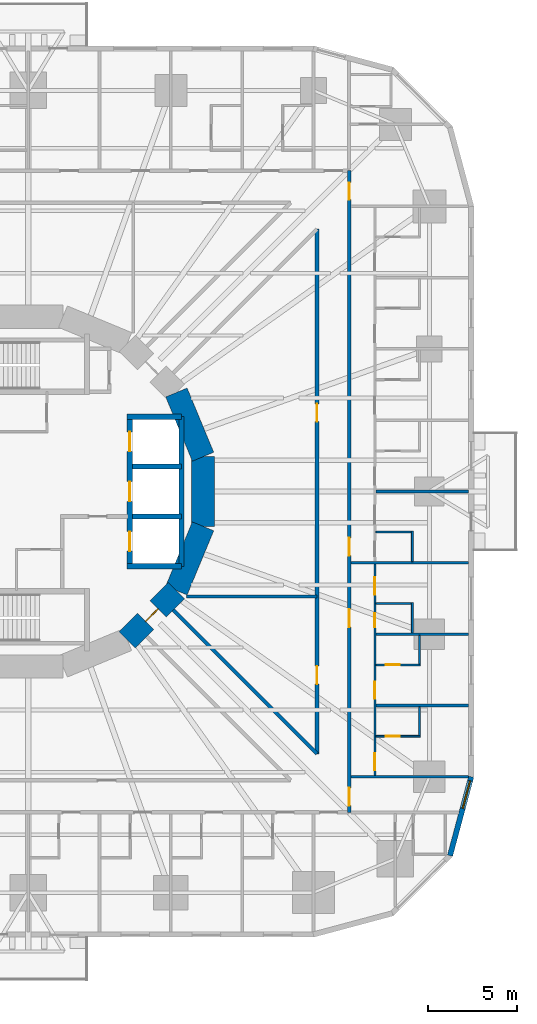
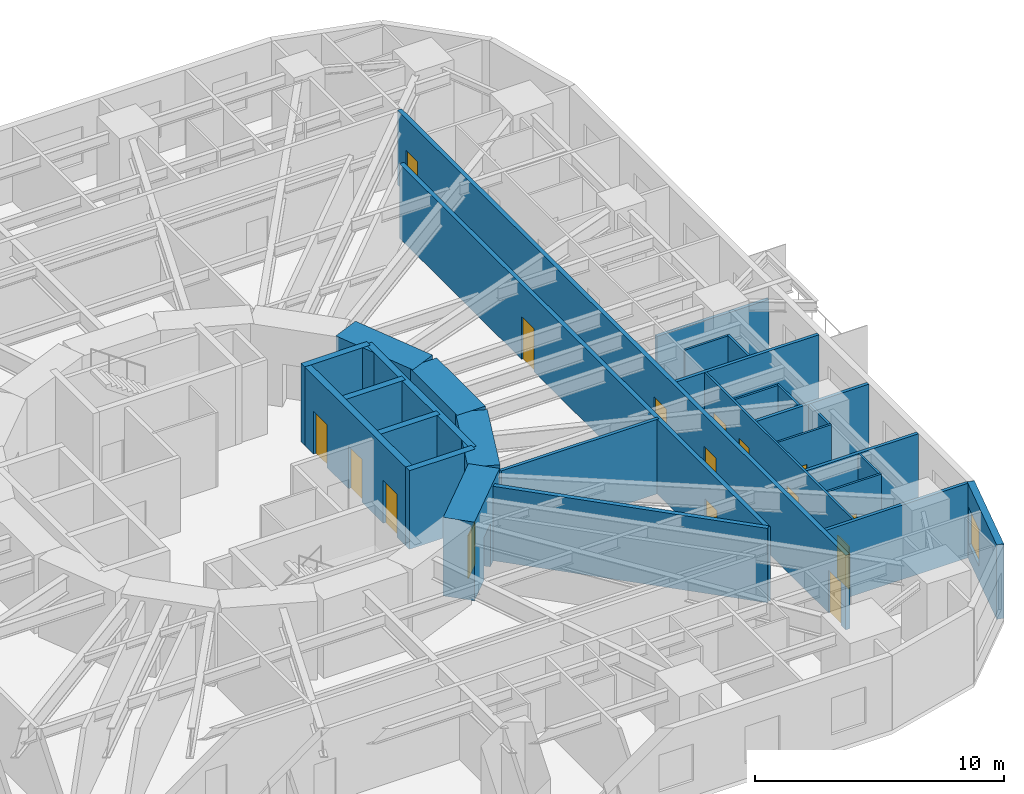
# One storey, part 8 of 14: 29 walls, 16 doors, 1 window, 17 openings.
"""IFC4 building model written with IfcOpenShell, lengths in metres."""

from ifc_helpers import new_model, si_unit, direction, frame, frame_2d, origin, place, context, subcontext, project, spatial, rectangle, extrude, material, layer, layer_set, type_object, element, fill, save


model = new_model("IFC4")

# Units and contexts
model_context = context("Model", 3, precision=1e-05, world=origin(), true_north=direction((0.0, 1.0)))
body_context = subcontext(model_context, "Body", "Model", "MODEL_VIEW")
ifc_project = project(units=[si_unit("LENGTHUNIT", "METRE"), si_unit("AREAUNIT", "SQUARE_METRE"), si_unit("VOLUMEUNIT", "CUBIC_METRE"), si_unit("PLANEANGLEUNIT", "RADIAN"), si_unit("MASSUNIT", "GRAM", prefix="KILO")], contexts=[model_context])

# Site, building, storey
site_placement = place(None, origin())
site = spatial("IfcSite", under=ifc_project, at=site_placement, CompositionType="ELEMENT")
building_placement = place(site_placement, origin())
building = spatial("IfcBuilding", under=site, at=building_placement, Name="Nakasero Lantern House", CompositionType="ELEMENT")
storey_placement = place(building_placement, frame((0.0, 0.0, 42.949951171875)))
storey = spatial("IfcBuildingStorey", under=building, at=storey_placement, Name="L10", CompositionType="ELEMENT", Elevation=42.949951171875)

# Wall, openings, doors
ifc_material_1 = material(Name="Blockwork", Category="masonry")
ifc_layer_1 = layer(ifc_material_1, 0.10009765625)
ifc_layer_set_1 = layer_set([ifc_layer_1], Name="Cluster hall wall 100")
wall_type_1 = type_object("IfcWallType", Name="Cluster hall wall 100", PredefinedType="PARTITIONING", material=ifc_layer_set_1)
wall_1_placement = place(storey_placement, frame((19.449951171875, -15.925048828125, 0.0), z_axis=(0.0, 0.0, 1.0), x_axis=(0.0, 1.0, 0.0)))
wall_1 = element("IfcWall", 1, at=wall_1_placement, inside=storey, type_object=wall_type_1, Name="Cluster hall wall L10 HW0-0", PredefinedType="PARTITIONING", context=body_context, shape_type="SweptSolid", body=[
    extrude(rectangle(XDim=11.85009765625, YDim=0.10009765625, at=frame_2d((5.925048828125, 0.0))), origin(), (0.0, 0.0, 1.0), 3.650146484375),
])
opening_1_placement = place(wall_1_placement, frame((10.125, 0.0, 0.0)))
opening_1 = element("IfcOpeningElement", 2, at=opening_1_placement, cuts=wall_1, Name="Opening D03", PredefinedType="OPENING", context=body_context, shape_type="SweptSolid", body=[
    extrude(rectangle(XDim=1.0, YDim=2.10009765625, at=frame_2d((0.5, 1.050048828125))), frame((0.0, 0.070068359375, 0.0), z_axis=(0.0, -1.0, 0.0), x_axis=(1.0, 0.0, 0.0)), (0.0, 0.0, 1.0), 0.14013671875),
])
opening_2_placement = place(wall_1_placement, frame((8.300048828125, 0.0, 0.0)))
opening_2 = element("IfcOpeningElement", 3, at=opening_2_placement, cuts=wall_1, Name="Opening D02", PredefinedType="OPENING", context=body_context, shape_type="SweptSolid", body=[
    extrude(rectangle(XDim=0.800048828125, YDim=2.10009765625, at=frame_2d((0.39990234375, 1.050048828125))), frame((0.0, 0.070068359375, 0.0), z_axis=(0.0, -1.0, 0.0), x_axis=(1.0, 0.0, 0.0)), (0.0, 0.0, 1.0), 0.14013671875),
])
opening_3_placement = place(wall_1_placement, frame((0.300048828125, 0.0, 0.0)))
opening_3 = element("IfcOpeningElement", 4, at=opening_3_placement, cuts=wall_1, Name="Opening D01", PredefinedType="OPENING", context=body_context, shape_type="SweptSolid", body=[
    extrude(rectangle(XDim=0.949951171875, YDim=2.10009765625, at=frame_2d((0.47509765625, 1.050048828125))), frame((0.0, 0.070068359375, 0.0), z_axis=(0.0, -1.0, 0.0), x_axis=(1.0, 0.0, 0.0)), (0.0, 0.0, 1.0), 0.14013671875),
])
opening_4_placement = place(wall_1_placement, frame((4.300048828125, 0.0, 0.0)))
opening_4 = element("IfcOpeningElement", 5, at=opening_4_placement, cuts=wall_1, Name="Opening D01", PredefinedType="OPENING", context=body_context, shape_type="SweptSolid", body=[
    extrude(rectangle(XDim=0.949951171875, YDim=2.10009765625, at=frame_2d((0.47509765625, 1.050048828125))), frame((0.0, 0.070068359375, 0.0), z_axis=(0.0, -1.0, 0.0), x_axis=(1.0, 0.0, 0.0)), (0.0, 0.0, 1.0), 0.14013671875),
])
ifc_material_2 = material(Name="Timber C24", Category="wood")
door_type_1 = type_object("IfcDoorType", Name="Bedroom door FD30S 950", OperationType="SINGLE_SWING_LEFT", PredefinedType="DOOR", material=ifc_material_2)
door_1_placement = place(opening_3_placement, origin())
door_1 = element("IfcDoor", 6, at=door_1_placement, inside=storey, type_object=door_type_1, Name="Door L10 D0-01", OperationType="SINGLE_SWING_LEFT", OverallHeight=2.10009765625, OverallWidth=0.949951171875, PredefinedType="DOOR", context=body_context, shape_type="SweptSolid", body=[
    extrude(rectangle(XDim=0.949951171875, YDim=2.10009765625, at=frame_2d((0.47509765625, 1.050048828125))), frame((0.0, 0.02490234375, 0.0), z_axis=(0.0, -1.0, 0.0), x_axis=(1.0, 0.0, 0.0)), (0.0, 0.0, 1.0), 0.050048828125),
])
fill(opening_3, door_1)
door_2_placement = place(opening_4_placement, origin())
door_2 = element("IfcDoor", 7, at=door_2_placement, inside=storey, type_object=door_type_1, Name="Door L10 D0-02", OperationType="SINGLE_SWING_LEFT", OverallHeight=2.10009765625, OverallWidth=0.949951171875, PredefinedType="DOOR", context=body_context, shape_type="SweptSolid", body=[
    extrude(rectangle(XDim=0.949951171875, YDim=2.10009765625, at=frame_2d((0.47509765625, 1.050048828125))), frame((0.0, 0.02490234375, 0.0), z_axis=(0.0, -1.0, 0.0), x_axis=(1.0, 0.0, 0.0)), (0.0, 0.0, 1.0), 0.050048828125),
])
fill(opening_4, door_2)
ifc_material_3 = material(Name="Timber C24", Category="wood")
door_type_2 = type_object("IfcDoorType", Name="En-suite door 800", OperationType="SINGLE_SWING_RIGHT", PredefinedType="DOOR", material=ifc_material_3)
door_3_placement = place(opening_2_placement, origin())
door_3 = element("IfcDoor", 8, at=door_3_placement, inside=storey, type_object=door_type_2, Name="Door L10 DSH0-0", OperationType="SINGLE_SWING_RIGHT", OverallHeight=2.10009765625, OverallWidth=0.800048828125, PredefinedType="DOOR", context=body_context, shape_type="SweptSolid", body=[
    extrude(rectangle(XDim=0.800048828125, YDim=2.10009765625, at=frame_2d((0.39990234375, 1.050048828125))), frame((0.0, 0.02490234375, 0.0), z_axis=(0.0, -1.0, 0.0), x_axis=(1.0, 0.0, 0.0)), (0.0, 0.0, 1.0), 0.050048828125),
])
fill(opening_2, door_3)
ifc_material_4 = material(Name="Timber C24", Category="wood")
door_type_3 = type_object("IfcDoorType", Name="Lounge door FD30S 1000", OperationType="SINGLE_SWING_LEFT", PredefinedType="DOOR", material=ifc_material_4)
door_4_placement = place(opening_1_placement, origin())
door_4 = element("IfcDoor", 9, at=door_4_placement, inside=storey, type_object=door_type_3, Name="Door L10 DH0-0", OperationType="SINGLE_SWING_RIGHT", OverallHeight=2.10009765625, OverallWidth=1.0, PredefinedType="DOOR", context=body_context, shape_type="SweptSolid", body=[
    extrude(rectangle(XDim=1.0, YDim=2.10009765625, at=frame_2d((0.5, 1.050048828125))), frame((0.0, 0.02490234375, 0.0), z_axis=(0.0, -1.0, 0.0), x_axis=(1.0, 0.0, 0.0)), (0.0, 0.0, 1.0), 0.050048828125),
])
fill(opening_1, door_4)

ifc_material_5 = material(Name="Concrete C50/60", Category="concrete")
ifc_layer_2 = layer(ifc_material_5, 0.300048828125)
ifc_layer_set_2 = layer_set([ifc_layer_2], Name="Core inner wall 300")
wall_type_2 = type_object("IfcWallType", Name="Core inner wall 300", PredefinedType="SHEAR", material=ifc_layer_set_2)
wall_2_placement = place(storey_placement, frame((5.699951171875, -4.199951171875, 0.0), z_axis=(0.0, 0.0, 1.0), x_axis=(0.0, 1.0, 0.0)))
wall_2 = element("IfcWall", 10, at=wall_2_placement, inside=storey, type_object=wall_type_2, Name="Core inner wall L10 LE", PredefinedType="SHEAR", context=body_context, shape_type="SweptSolid", body=[
    extrude(rectangle(XDim=8.39990234375, YDim=0.300048828125, at=frame_2d((4.199951171875, 0.0))), origin(), (0.0, 0.0, 1.0), 3.85009765625),
])
opening_5_placement = place(wall_2_placement, frame((0.85009765625, 0.0, 0.0)))
opening_5 = element("IfcOpeningElement", 11, at=opening_5_placement, cuts=wall_2, Name="Opening LD", PredefinedType="OPENING", context=body_context, shape_type="SweptSolid", body=[
    extrude(rectangle(XDim=1.10009765625, YDim=2.10009765625, at=frame_2d((0.550048828125, 1.050048828125))), frame((0.0, 0.169921875, 0.0), z_axis=(0.0, -1.0, 0.0), x_axis=(1.0, 0.0, 0.0)), (0.0, 0.0, 1.0), 0.340087890625),
])
opening_6_placement = place(wall_2_placement, frame((3.64990234375, 0.0, 0.0)))
opening_6 = element("IfcOpeningElement", 12, at=opening_6_placement, cuts=wall_2, Name="Opening LD", PredefinedType="OPENING", context=body_context, shape_type="SweptSolid", body=[
    extrude(rectangle(XDim=1.10009765625, YDim=2.10009765625, at=frame_2d((0.550048828125, 1.050048828125))), frame((0.0, 0.169921875, 0.0), z_axis=(0.0, -1.0, 0.0), x_axis=(1.0, 0.0, 0.0)), (0.0, 0.0, 1.0), 0.340087890625),
])
opening_7_placement = place(wall_2_placement, frame((6.449951171875, 0.0, 0.0)))
opening_7 = element("IfcOpeningElement", 13, at=opening_7_placement, cuts=wall_2, Name="Opening LD", PredefinedType="OPENING", context=body_context, shape_type="SweptSolid", body=[
    extrude(rectangle(XDim=1.10009765625, YDim=2.10009765625, at=frame_2d((0.550048828125, 1.050048828125))), frame((0.0, 0.169921875, 0.0), z_axis=(0.0, -1.0, 0.0), x_axis=(1.0, 0.0, 0.0)), (0.0, 0.0, 1.0), 0.340087890625),
])
ifc_material_6 = material(Name="Steel S355", Category="steel")
door_type_4 = type_object("IfcDoorType", Name="Lift landing door E120 1100", OperationType="SLIDING_TO_LEFT", PredefinedType="DOOR", material=ifc_material_6)
door_5_placement = place(opening_5_placement, origin())
door_5 = element("IfcDoor", 14, at=door_5_placement, inside=storey, type_object=door_type_4, Name="Lift landing door LE1", OperationType="SLIDING_TO_LEFT", OverallHeight=2.10009765625, OverallWidth=1.10009765625, PredefinedType="DOOR", context=body_context, shape_type="SweptSolid", body=[
    extrude(rectangle(XDim=1.10009765625, YDim=2.10009765625, at=frame_2d((0.550048828125, 1.050048828125))), frame((0.0, 0.02490234375, 0.0), z_axis=(0.0, -1.0, 0.0), x_axis=(1.0, 0.0, 0.0)), (0.0, 0.0, 1.0), 0.050048828125),
])
fill(opening_5, door_5)
door_6_placement = place(opening_6_placement, origin())
door_6 = element("IfcDoor", 15, at=door_6_placement, inside=storey, type_object=door_type_4, Name="Lift landing door LE2", OperationType="SLIDING_TO_LEFT", OverallHeight=2.10009765625, OverallWidth=1.10009765625, PredefinedType="DOOR", context=body_context, shape_type="SweptSolid", body=[
    extrude(rectangle(XDim=1.10009765625, YDim=2.10009765625, at=frame_2d((0.550048828125, 1.050048828125))), frame((0.0, 0.02490234375, 0.0), z_axis=(0.0, -1.0, 0.0), x_axis=(1.0, 0.0, 0.0)), (0.0, 0.0, 1.0), 0.050048828125),
])
fill(opening_6, door_6)
door_7_placement = place(opening_7_placement, origin())
door_7 = element("IfcDoor", 16, at=door_7_placement, inside=storey, type_object=door_type_4, Name="Lift landing door LE3", OperationType="SLIDING_TO_LEFT", OverallHeight=2.10009765625, OverallWidth=1.10009765625, PredefinedType="DOOR", context=body_context, shape_type="SweptSolid", body=[
    extrude(rectangle(XDim=1.10009765625, YDim=2.10009765625, at=frame_2d((0.550048828125, 1.050048828125))), frame((0.0, 0.02490234375, 0.0), z_axis=(0.0, -1.0, 0.0), x_axis=(1.0, 0.0, 0.0)), (0.0, 0.0, 1.0), 0.050048828125),
])
fill(opening_7, door_7)

# Walls
for number, where, z_axis, x_axis, name in (
    (17, (5.550048828125, 4.199951171875, 0.0), (0.0, 0.0, 1.0), (1.0, 0.0, 0.0), "Core inner wall L10 LEN"),
    (18, (5.550048828125, -4.199951171875, 0.0), (0.0, 0.0, 1.0), (1.0, 0.0, 0.0), "Core inner wall L10 LES"),
):
    element("IfcWall", number, at=place(storey_placement, frame(where, z_axis=z_axis, x_axis=x_axis)), inside=storey, type_object=wall_type_2, Name=name, PredefinedType="SHEAR", context=body_context, shape_type="SweptSolid", body=[
        extrude(rectangle(XDim=3.050048828125, YDim=0.300048828125, at=frame_2d((1.52490234375, 0.0))), origin(), (0.0, 0.0, 1.0), 3.85009765625),
    ])
wall_3_placement = place(storey_placement, frame((8.60009765625, -4.199951171875, 0.0), z_axis=(0.0, 0.0, 1.0), x_axis=(0.0, 1.0, 0.0)))
element("IfcWall", 19, at=wall_3_placement, inside=storey, type_object=wall_type_2, Name="Core inner wall L10 LEB", PredefinedType="SHEAR", context=body_context, shape_type="SweptSolid", body=[
    extrude(rectangle(XDim=8.39990234375, YDim=0.300048828125, at=frame_2d((4.199951171875, 0.0))), origin(), (0.0, 0.0, 1.0), 3.85009765625),
])
for number, where, z_axis, x_axis, name in (
    (20, (5.85009765625, -1.39990234375, 0.0), (0.0, 0.0, 1.0), (1.0, 0.0, 0.0), "Core inner wall L10 LE1"),
    (21, (5.85009765625, 1.39990234375, 0.0), (0.0, 0.0, 1.0), (1.0, 0.0, 0.0), "Core inner wall L10 LE2"),
):
    element("IfcWall", number, at=place(storey_placement, frame(where, z_axis=z_axis, x_axis=x_axis)), inside=storey, type_object=wall_type_2, Name=name, PredefinedType="SHEAR", context=body_context, shape_type="SweptSolid", body=[
        extrude(rectangle(XDim=2.75, YDim=0.300048828125, at=frame_2d((1.375, 0.0))), origin(), (0.0, 0.0, 1.0), 3.85009765625),
    ])
ifc_material_7 = material(Name="Concrete C50/60", Category="concrete")
ifc_layer_3 = layer(ifc_material_7, 1.300048828125)
ifc_layer_set_3 = layer_set([ifc_layer_3], Name="Core wall 1300")
wall_type_3 = type_object("IfcWallType", Name="Core wall 1300", PredefinedType="SHEAR", material=ifc_layer_set_3)
wall_4_placement = place(storey_placement, frame((9.807861328125, 1.950927734375, 0.0), z_axis=(0.0, 0.0, 1.0), x_axis=(-0.382690736062, 0.923876507187, 0.0)))
element("IfcWall", 22, at=wall_4_placement, inside=storey, type_object=wall_type_3, Name="Core wall L10 facet 1", PredefinedType="SHEAR", context=body_context, shape_type="SweptSolid", body=[
    extrude(rectangle(XDim=3.90185546875, YDim=1.300048828125, at=frame_2d((1.950927734375, 0.0))), origin(), (0.0, 0.0, 1.0), 3.85009765625),
])

# Wall, opening, door
wall_5_placement = place(storey_placement, frame((5.5556640625, -8.314697265625, 0.0), z_axis=(0.0, 0.0, 1.0), x_axis=(0.707106781187, 0.707106781187, 0.0)))
wall_5 = element("IfcWall", 23, at=wall_5_placement, inside=storey, type_object=wall_type_3, Name="Core wall L10 facet 14", PredefinedType="SHEAR", context=body_context, shape_type="SweptSolid", body=[
    extrude(rectangle(XDim=3.90185546875, YDim=1.300048828125, at=frame_2d((1.950927734375, 0.0))), origin(), (0.0, 0.0, 1.0), 3.85009765625),
])
opening_8_placement = place(wall_5_placement, frame((1.450927734375, 0.0, 0.0)))
opening_8 = element("IfcOpeningElement", 24, at=opening_8_placement, cuts=wall_5, Name="Opening D05", PredefinedType="OPENING", context=body_context, shape_type="SweptSolid", body=[
    extrude(rectangle(XDim=1.0, YDim=2.10009765625, at=frame_2d((0.5, 1.050048828125))), frame((0.0, 0.669921875, 0.0), z_axis=(0.0, -1.0, 0.0), x_axis=(1.0, 0.0, 0.0)), (0.0, 0.0, 1.0), 1.340087890625),
])
ifc_material_8 = material(Name="Timber C24", Category="wood")
door_type_5 = type_object("IfcDoorType", Name="Core door FD60S 1000", OperationType="SINGLE_SWING_LEFT", PredefinedType="DOOR", material=ifc_material_8)
door_8_placement = place(opening_8_placement, origin())
door_8 = element("IfcDoor", 25, at=door_8_placement, inside=storey, type_object=door_type_5, Name="Door L10 D-CORE14", OperationType="SINGLE_SWING_LEFT", OverallHeight=2.10009765625, OverallWidth=1.0, PredefinedType="DOOR", context=body_context, shape_type="SweptSolid", body=[
    extrude(rectangle(XDim=1.0, YDim=2.10009765625, at=frame_2d((0.5, 1.050048828125))), frame((0.0, 0.02490234375, 0.0), z_axis=(0.0, -1.0, 0.0), x_axis=(1.0, 0.0, 0.0)), (0.0, 0.0, 1.0), 0.050048828125),
])
fill(opening_8, door_8)

# Walls
for number, where, z_axis, x_axis, name in (
    (26, (8.314697265625, -5.5556640625, 0.0), (0.0, 0.0, 1.0), (0.382690736062, 0.923876507187, 0.0), "Core wall L10 facet 15"),
    (27, (9.807861328125, -1.950927734375, 0.0), (0.0, 0.0, 1.0), (0.0, 1.0, 0.0), "Core wall L10 facet 16"),
):
    element("IfcWall", number, at=place(storey_placement, frame(where, z_axis=z_axis, x_axis=x_axis)), inside=storey, type_object=wall_type_3, Name=name, PredefinedType="SHEAR", context=body_context, shape_type="SweptSolid", body=[
        extrude(rectangle(XDim=3.90185546875, YDim=1.300048828125, at=frame_2d((1.950927734375, 0.0))), origin(), (0.0, 0.0, 1.0), 3.85009765625),
    ])

# Wall, openings, doors
ifc_material_9 = material(Name="Blockwork", Category="masonry")
ifc_layer_4 = layer(ifc_material_9, 0.199951171875)
ifc_layer_set_4 = layer_set([ifc_layer_4], Name="Corridor wall 200")
wall_type_4 = type_object("IfcWallType", Name="Corridor wall 200", PredefinedType="PARTITIONING", material=ifc_layer_set_4)
wall_6_placement = place(storey_placement, frame((18.0, -18.0, 0.0), z_axis=(0.0, 0.0, 1.0), x_axis=(0.0, 1.0, 0.0)))
wall_6 = element("IfcWall", 28, at=wall_6_placement, inside=storey, type_object=wall_type_4, Name="Corridor wall L10 CW0", PredefinedType="PARTITIONING", context=body_context, shape_type="SweptSolid", body=[
    extrude(rectangle(XDim=36.0, YDim=0.199951171875, at=frame_2d((18.0, 0.0))), origin(), (0.0, 0.0, 1.0), 3.650146484375),
])
opening_9_placement = place(wall_6_placement, frame((10.39990234375, 0.0, 0.0)))
opening_9 = element("IfcOpeningElement", 29, at=opening_9_placement, cuts=wall_6, Name="Opening D14", PredefinedType="OPENING", context=body_context, shape_type="SweptSolid", body=[
    extrude(rectangle(XDim=1.0, YDim=2.10009765625, at=frame_2d((0.5, 1.050048828125))), frame((0.0, 0.119873046875, 0.0), z_axis=(0.0, -1.0, 0.0), x_axis=(1.0, 0.0, 0.0)), (0.0, 0.0, 1.0), 0.239990234375),
])
opening_10_placement = place(wall_6_placement, frame((14.39990234375, 0.0, 0.0)))
opening_10 = element("IfcOpeningElement", 30, at=opening_10_placement, cuts=wall_6, Name="Opening D14", PredefinedType="OPENING", context=body_context, shape_type="SweptSolid", body=[
    extrude(rectangle(XDim=1.0, YDim=2.10009765625, at=frame_2d((0.5, 1.050048828125))), frame((0.0, 0.119873046875, 0.0), z_axis=(0.0, -1.0, 0.0), x_axis=(1.0, 0.0, 0.0)), (0.0, 0.0, 1.0), 0.239990234375),
])
opening_11_placement = place(wall_6_placement, frame((0.375, 0.0, 0.0)))
opening_11 = element("IfcOpeningElement", 31, at=opening_11_placement, cuts=wall_6, Name="Opening D07", PredefinedType="OPENING", context=body_context, shape_type="SweptSolid", body=[
    extrude(rectangle(XDim=1.0, YDim=2.10009765625, at=frame_2d((0.5, 1.050048828125))), frame((0.0, 0.119873046875, 0.0), z_axis=(0.0, -1.0, 0.0), x_axis=(1.0, 0.0, 0.0)), (0.0, 0.0, 1.0), 0.239990234375),
])
opening_12_placement = place(wall_6_placement, frame((34.375, 0.0, 0.0)))
opening_12 = element("IfcOpeningElement", 32, at=opening_12_placement, cuts=wall_6, Name="Opening D01", PredefinedType="OPENING", context=body_context, shape_type="SweptSolid", body=[
    extrude(rectangle(XDim=0.949951171875, YDim=2.10009765625, at=frame_2d((0.47509765625, 1.050048828125))), frame((0.0, 0.119873046875, 0.0), z_axis=(0.0, -1.0, 0.0), x_axis=(1.0, 0.0, 0.0)), (0.0, 0.0, 1.0), 0.239990234375),
])
door_9_placement = place(opening_12_placement, origin())
door_9 = element("IfcDoor", 33, at=door_9_placement, inside=storey, type_object=door_type_1, Name="Door L10 D0-09", OperationType="SINGLE_SWING_RIGHT", OverallHeight=2.10009765625, OverallWidth=0.949951171875, PredefinedType="DOOR", context=body_context, shape_type="SweptSolid", body=[
    extrude(rectangle(XDim=0.949951171875, YDim=2.10009765625, at=frame_2d((0.47509765625, 1.050048828125))), frame((0.0, 0.02490234375, 0.0), z_axis=(0.0, -1.0, 0.0), x_axis=(1.0, 0.0, 0.0)), (0.0, 0.0, 1.0), 0.050048828125),
])
fill(opening_12, door_9)
ifc_material_10 = material(Name="Timber C24", Category="wood")
door_type_6 = type_object("IfcDoorType", Name="Cluster entrance door FD30S 1000", OperationType="SINGLE_SWING_LEFT", PredefinedType="DOOR", material=ifc_material_10)
door_10_placement = place(opening_9_placement, origin())
door_10 = element("IfcDoor", 34, at=door_10_placement, inside=storey, type_object=door_type_6, Name="Door L10 DF0-0", OperationType="SINGLE_SWING_LEFT", OverallHeight=2.10009765625, OverallWidth=1.0, PredefinedType="DOOR", context=body_context, shape_type="SweptSolid", body=[
    extrude(rectangle(XDim=1.0, YDim=2.10009765625, at=frame_2d((0.5, 1.050048828125))), frame((0.0, 0.02490234375, 0.0), z_axis=(0.0, -1.0, 0.0), x_axis=(1.0, 0.0, 0.0)), (0.0, 0.0, 1.0), 0.050048828125),
])
fill(opening_9, door_10)
door_11_placement = place(opening_10_placement, origin())
door_11 = element("IfcDoor", 35, at=door_11_placement, inside=storey, type_object=door_type_6, Name="Door L10 DF0-1", OperationType="SINGLE_SWING_LEFT", OverallHeight=2.10009765625, OverallWidth=1.0, PredefinedType="DOOR", context=body_context, shape_type="SweptSolid", body=[
    extrude(rectangle(XDim=1.0, YDim=2.10009765625, at=frame_2d((0.5, 1.050048828125))), frame((0.0, 0.02490234375, 0.0), z_axis=(0.0, -1.0, 0.0), x_axis=(1.0, 0.0, 0.0)), (0.0, 0.0, 1.0), 0.050048828125),
])
fill(opening_10, door_11)
ifc_material_11 = material(Name="Timber C24", Category="wood")
door_type_7 = type_object("IfcDoorType", Name="Room door FD30S 1000", OperationType="SINGLE_SWING_LEFT", PredefinedType="DOOR", material=ifc_material_11)
door_12_placement = place(opening_11_placement, origin())
door_12 = element("IfcDoor", 36, at=door_12_placement, inside=storey, type_object=door_type_7, Name="Door L10 D0-00", OperationType="SINGLE_SWING_LEFT", OverallHeight=2.10009765625, OverallWidth=1.0, PredefinedType="DOOR", context=body_context, shape_type="SweptSolid", body=[
    extrude(rectangle(XDim=1.0, YDim=2.10009765625, at=frame_2d((0.5, 1.050048828125))), frame((0.0, 0.02490234375, 0.0), z_axis=(0.0, -1.0, 0.0), x_axis=(1.0, 0.0, 0.0)), (0.0, 0.0, 1.0), 0.050048828125),
])
fill(opening_11, door_12)

wall_7_placement = place(storey_placement, frame((16.199951171875, -14.715087890625, 0.0), z_axis=(0.0, 0.0, 1.0), x_axis=(0.0, 1.0, 0.0)))
wall_7 = element("IfcWall", 37, at=wall_7_placement, inside=storey, type_object=wall_type_4, Name="Corridor wall L10 IW0-0", PredefinedType="PARTITIONING", context=body_context, shape_type="SweptSolid", body=[
    extrude(rectangle(XDim=29.43017578125, YDim=0.199951171875, at=frame_2d((14.715087890625, 0.0))), origin(), (0.0, 0.0, 1.0), 3.650146484375),
])
opening_13_placement = place(wall_7_placement, frame((3.91455078125, 0.0, 0.0)))
opening_13 = element("IfcOpeningElement", 38, at=opening_13_placement, cuts=wall_7, Name="Opening D07", PredefinedType="OPENING", context=body_context, shape_type="SweptSolid", body=[
    extrude(rectangle(XDim=1.0, YDim=2.10009765625, at=frame_2d((0.5, 1.050048828125))), frame((0.0, 0.119873046875, 0.0), z_axis=(0.0, -1.0, 0.0), x_axis=(1.0, 0.0, 0.0)), (0.0, 0.0, 1.0), 0.239990234375),
])
opening_14_placement = place(wall_7_placement, frame((18.629638671875, 0.0, 0.0)))
opening_14 = element("IfcOpeningElement", 39, at=opening_14_placement, cuts=wall_7, Name="Opening D07", PredefinedType="OPENING", context=body_context, shape_type="SweptSolid", body=[
    extrude(rectangle(XDim=1.0, YDim=2.10009765625, at=frame_2d((0.5, 1.050048828125))), frame((0.0, 0.119873046875, 0.0), z_axis=(0.0, -1.0, 0.0), x_axis=(1.0, 0.0, 0.0)), (0.0, 0.0, 1.0), 0.239990234375),
])
door_13_placement = place(opening_13_placement, origin())
door_13 = element("IfcDoor", 40, at=door_13_placement, inside=storey, type_object=door_type_7, Name="Door L10 DI1", OperationType="SINGLE_SWING_LEFT", OverallHeight=2.10009765625, OverallWidth=1.0, PredefinedType="DOOR", context=body_context, shape_type="SweptSolid", body=[
    extrude(rectangle(XDim=1.0, YDim=2.10009765625, at=frame_2d((0.5, 1.050048828125))), frame((0.0, 0.02490234375, 0.0), z_axis=(0.0, -1.0, 0.0), x_axis=(1.0, 0.0, 0.0)), (0.0, 0.0, 1.0), 0.050048828125),
])
fill(opening_13, door_13)
door_14_placement = place(opening_14_placement, origin())
door_14 = element("IfcDoor", 41, at=door_14_placement, inside=storey, type_object=door_type_7, Name="Door L10 DI1S", OperationType="SINGLE_SWING_RIGHT", OverallHeight=2.10009765625, OverallWidth=1.0, PredefinedType="DOOR", context=body_context, shape_type="SweptSolid", body=[
    extrude(rectangle(XDim=1.0, YDim=2.10009765625, at=frame_2d((0.5, 1.050048828125))), frame((0.0, 0.02490234375, 0.0), z_axis=(0.0, -1.0, 0.0), x_axis=(1.0, 0.0, 0.0)), (0.0, 0.0, 1.0), 0.050048828125),
])
fill(opening_14, door_14)

# Walls
wall_8_placement = place(storey_placement, frame((8.13720703125, -6.65234375, 0.0), z_axis=(0.0, 0.0, 1.0), x_axis=(0.707106781187, -0.707106781187, 0.0)))
element("IfcWall", 42, at=wall_8_placement, inside=storey, type_object=wall_type_4, Name="Corridor wall L10 PS14a", PredefinedType="PARTITIONING", context=body_context, shape_type="SweptSolid", body=[
    extrude(rectangle(XDim=11.40234375, YDim=0.199951171875, at=frame_2d((5.701171875, 0.0))), origin(), (0.0, 0.0, 1.0), 3.650146484375),
])
ifc_material_12 = material(Name="Blockwork", Category="masonry")
ifc_layer_5 = layer(ifc_material_12, 0.10009765625)
ifc_layer_set_5 = layer_set([ifc_layer_5], Name="En-suite wall 100")
wall_type_5 = type_object("IfcWallType", Name="En-suite wall 100", PredefinedType="PARTITIONING", material=ifc_layer_set_5)
wall_9_placement = place(storey_placement, frame((19.5, -6.27490234375, 0.0), z_axis=(0.0, 0.0, 1.0), x_axis=(1.0, 0.0, 0.0)))
element("IfcWall", 43, at=wall_9_placement, inside=storey, type_object=wall_type_5, Name="En-suite wall L10 SS0-0", PredefinedType="PARTITIONING", context=body_context, shape_type="SweptSolid", body=[
    extrude(rectangle(XDim=2.10009765625, YDim=0.10009765625, at=frame_2d((1.050048828125, 0.0))), origin(), (0.0, 0.0, 1.0), 3.650146484375),
])
wall_10_placement = place(storey_placement, frame((21.550048828125, -7.925048828125, 0.0), z_axis=(0.0, 0.0, 1.0), x_axis=(0.0, 1.0, 0.0)))
element("IfcWall", 44, at=wall_10_placement, inside=storey, type_object=wall_type_5, Name="En-suite wall L10 SE0-0", PredefinedType="PARTITIONING", context=body_context, shape_type="SweptSolid", body=[
    extrude(rectangle(XDim=1.699951171875, YDim=0.10009765625, at=frame_2d((0.85009765625, 0.0))), origin(), (0.0, 0.0, 1.0), 3.650146484375),
])
wall_11_placement = place(storey_placement, frame((19.5, -2.27490234375, 0.0), z_axis=(0.0, 0.0, 1.0), x_axis=(1.0, 0.0, 0.0)))
element("IfcWall", 45, at=wall_11_placement, inside=storey, type_object=wall_type_5, Name="En-suite wall L10 SS0-1", PredefinedType="PARTITIONING", context=body_context, shape_type="SweptSolid", body=[
    extrude(rectangle(XDim=2.10009765625, YDim=0.10009765625, at=frame_2d((1.050048828125, 0.0))), origin(), (0.0, 0.0, 1.0), 3.650146484375),
])
wall_12_placement = place(storey_placement, frame((21.550048828125, -3.925048828125, 0.0), z_axis=(0.0, 0.0, 1.0), x_axis=(0.0, 1.0, 0.0)))
element("IfcWall", 46, at=wall_12_placement, inside=storey, type_object=wall_type_5, Name="En-suite wall L10 SE0-1", PredefinedType="PARTITIONING", context=body_context, shape_type="SweptSolid", body=[
    extrude(rectangle(XDim=1.699951171875, YDim=0.10009765625, at=frame_2d((0.85009765625, 0.0))), origin(), (0.0, 0.0, 1.0), 3.650146484375),
])

# Wall, opening, door
wall_13_placement = place(storey_placement, frame((19.5, -13.72509765625, 0.0), z_axis=(0.0, 0.0, 1.0), x_axis=(1.0, 0.0, 0.0)))
wall_13 = element("IfcWall", 47, at=wall_13_placement, inside=storey, type_object=wall_type_5, Name="En-suite wall L10 ES0-01", PredefinedType="PARTITIONING", context=body_context, shape_type="SweptSolid", body=[
    extrude(rectangle(XDim=2.5, YDim=0.10009765625, at=frame_2d((1.25, 0.0))), origin(), (0.0, 0.0, 1.0), 3.650146484375),
])
opening_15_placement = place(wall_13_placement, frame((0.550048828125, 0.0, 0.0)))
opening_15 = element("IfcOpeningElement", 48, at=opening_15_placement, cuts=wall_13, Name="Opening D02", PredefinedType="OPENING", context=body_context, shape_type="SweptSolid", body=[
    extrude(rectangle(XDim=0.800048828125, YDim=2.10009765625, at=frame_2d((0.39990234375, 1.050048828125))), frame((0.0, 0.070068359375, 0.0), z_axis=(0.0, -1.0, 0.0), x_axis=(1.0, 0.0, 0.0)), (0.0, 0.0, 1.0), 0.14013671875),
])
door_15_placement = place(opening_15_placement, origin())
door_15 = element("IfcDoor", 49, at=door_15_placement, inside=storey, type_object=door_type_2, Name="Door L10 DE0-01", OperationType="SINGLE_SWING_LEFT", OverallHeight=2.10009765625, OverallWidth=0.800048828125, PredefinedType="DOOR", context=body_context, shape_type="SweptSolid", body=[
    extrude(rectangle(XDim=0.800048828125, YDim=2.10009765625, at=frame_2d((0.39990234375, 1.050048828125))), frame((0.0, 0.02490234375, 0.0), z_axis=(0.0, -1.0, 0.0), x_axis=(1.0, 0.0, 0.0)), (0.0, 0.0, 1.0), 0.050048828125),
])
fill(opening_15, door_15)

# Wall
wall_14_placement = place(storey_placement, frame((21.949951171875, -13.675048828125, 0.0), z_axis=(0.0, 0.0, 1.0), x_axis=(0.0, 1.0, 0.0)))
element("IfcWall", 50, at=wall_14_placement, inside=storey, type_object=wall_type_5, Name="En-suite wall L10 EE0-01", PredefinedType="PARTITIONING", context=body_context, shape_type="SweptSolid", body=[
    extrude(rectangle(XDim=1.60009765625, YDim=0.10009765625, at=frame_2d((0.800048828125, 0.0))), origin(), (0.0, 0.0, 1.0), 3.650146484375),
])

# Wall, opening, door
wall_15_placement = place(storey_placement, frame((19.5, -9.72509765625, 0.0), z_axis=(0.0, 0.0, 1.0), x_axis=(1.0, 0.0, 0.0)))
wall_15 = element("IfcWall", 51, at=wall_15_placement, inside=storey, type_object=wall_type_5, Name="En-suite wall L10 ES0-02", PredefinedType="PARTITIONING", context=body_context, shape_type="SweptSolid", body=[
    extrude(rectangle(XDim=2.5, YDim=0.10009765625, at=frame_2d((1.25, 0.0))), origin(), (0.0, 0.0, 1.0), 3.650146484375),
])
opening_16_placement = place(wall_15_placement, frame((0.550048828125, 0.0, 0.0)))
opening_16 = element("IfcOpeningElement", 52, at=opening_16_placement, cuts=wall_15, Name="Opening D02", PredefinedType="OPENING", context=body_context, shape_type="SweptSolid", body=[
    extrude(rectangle(XDim=0.800048828125, YDim=2.10009765625, at=frame_2d((0.39990234375, 1.050048828125))), frame((0.0, 0.070068359375, 0.0), z_axis=(0.0, -1.0, 0.0), x_axis=(1.0, 0.0, 0.0)), (0.0, 0.0, 1.0), 0.14013671875),
])
door_16_placement = place(opening_16_placement, origin())
door_16 = element("IfcDoor", 53, at=door_16_placement, inside=storey, type_object=door_type_2, Name="Door L10 DE0-02", OperationType="SINGLE_SWING_LEFT", OverallHeight=2.10009765625, OverallWidth=0.800048828125, PredefinedType="DOOR", context=body_context, shape_type="SweptSolid", body=[
    extrude(rectangle(XDim=0.800048828125, YDim=2.10009765625, at=frame_2d((0.39990234375, 1.050048828125))), frame((0.0, 0.02490234375, 0.0), z_axis=(0.0, -1.0, 0.0), x_axis=(1.0, 0.0, 0.0)), (0.0, 0.0, 1.0), 0.050048828125),
])
fill(opening_16, door_16)

# Wall
wall_16_placement = place(storey_placement, frame((21.949951171875, -9.675048828125, 0.0), z_axis=(0.0, 0.0, 1.0), x_axis=(0.0, 1.0, 0.0)))
element("IfcWall", 54, at=wall_16_placement, inside=storey, type_object=wall_type_5, Name="En-suite wall L10 EE0-02", PredefinedType="PARTITIONING", context=body_context, shape_type="SweptSolid", body=[
    extrude(rectangle(XDim=1.60009765625, YDim=0.10009765625, at=frame_2d((0.800048828125, 0.0))), origin(), (0.0, 0.0, 1.0), 3.650146484375),
])

# Wall, opening, window
ifc_material_13 = material(Name="Aluminium rainscreen on blockwork", Category="masonry")
ifc_layer_6 = layer(ifc_material_13, 0.300048828125)
ifc_layer_set_6 = layer_set([ifc_layer_6], Name="Facade wall 300")
wall_type_6 = type_object("IfcWallType", Name="Facade wall 300", PredefinedType="SOLIDWALL", material=ifc_layer_set_6)
wall_17_placement = place(storey_placement, frame((23.664306640625, -20.425048828125, 0.0), z_axis=(0.0, 0.0, 1.0), x_axis=(0.258839972501, 0.965920218567, 0.0)))
wall_17 = element("IfcWall", 55, at=wall_17_placement, inside=storey, type_object=wall_type_6, Name="Facade wall L10 FW3C3", PredefinedType="SOLIDWALL", context=body_context, shape_type="SweptSolid", body=[
    extrude(rectangle(XDim=4.5810546875, YDim=0.300048828125, at=frame_2d((2.29052734375, 0.0))), origin(), (0.0, 0.0, 1.0), 3.650146484375),
])
opening_17_placement = place(wall_17_placement, frame((2.74609375, 0.0, 0.75)))
opening_17 = element("IfcOpeningElement", 56, at=opening_17_placement, cuts=wall_17, Name="Opening W01", PredefinedType="OPENING", context=body_context, shape_type="SweptSolid", body=[
    extrude(rectangle(XDim=1.60009765625, YDim=1.800048828125, at=frame_2d((0.800048828125, 0.89990234375))), frame((0.0, 0.169921875, 0.0), z_axis=(0.0, -1.0, 0.0), x_axis=(1.0, 0.0, 0.0)), (0.0, 0.0, 1.0), 0.340087890625),
])
ifc_material_14 = material(Name="Aluminium 6063-T6 and glass", Category="aluminium")
window_type = type_object("IfcWindowType", Name="Bedroom window 1600x1800", PartitioningType="SINGLE_PANEL", PredefinedType="WINDOW", material=ifc_material_14)
window_placement = place(opening_17_placement, origin())
window = element("IfcWindow", 57, at=window_placement, inside=storey, type_object=window_type, Name="Window L10 WN0-00", OverallHeight=1.800048828125, OverallWidth=1.60009765625, PartitioningType="SINGLE_PANEL", PredefinedType="WINDOW", context=body_context, shape_type="SweptSolid", body=[
    extrude(rectangle(XDim=1.60009765625, YDim=1.800048828125, at=frame_2d((0.800048828125, 0.89990234375))), frame((0.0, 0.030029296875, 0.0), z_axis=(0.0, -1.0, 0.0), x_axis=(1.0, 0.0, 0.0)), (0.0, 0.0, 1.0), 0.06005859375),
])
fill(opening_17, window)

# Walls
ifc_material_15 = material(Name="Blockwork", Category="masonry")
ifc_layer_7 = layer(ifc_material_15, 0.14990234375)
ifc_layer_set_7 = layer_set([ifc_layer_7], Name="Party wall 150")
wall_type_7 = type_object("IfcWallType", Name="Party wall 150", PredefinedType="PARTITIONING", material=ifc_layer_set_7)
wall_18_placement = place(storey_placement, frame((18.10009765625, -16.0, 0.0), z_axis=(0.0, 0.0, 1.0), x_axis=(1.0, 0.0, 0.0)))
element("IfcWall", 58, at=wall_18_placement, inside=storey, type_object=wall_type_7, Name="Party wall L10 PW0-01", PredefinedType="PARTITIONING", context=body_context, shape_type="SweptSolid", body=[
    extrude(rectangle(XDim=6.58935546875, YDim=0.14990234375, at=frame_2d((3.294677734375, 0.0))), origin(), (0.0, 0.0, 1.0), 3.650146484375),
])
for number, where, z_axis, x_axis, name in (
    (59, (19.5, -12.0, 0.0), (0.0, 0.0, 1.0), (1.0, 0.0, 0.0), "Party wall L10 PW0-02"),
    (60, (19.5, -8.0, 0.0), (0.0, 0.0, 1.0), (1.0, 0.0, 0.0), "Party wall L10 PW0-03"),
):
    element("IfcWall", number, at=place(storey_placement, frame(where, z_axis=z_axis, x_axis=x_axis)), inside=storey, type_object=wall_type_7, Name=name, PredefinedType="PARTITIONING", context=body_context, shape_type="SweptSolid", body=[
        extrude(rectangle(XDim=5.199951171875, YDim=0.14990234375, at=frame_2d((2.60009765625, 0.0))), origin(), (0.0, 0.0, 1.0), 3.650146484375),
    ])
wall_19_placement = place(storey_placement, frame((18.10009765625, -4.0, 0.0), z_axis=(0.0, 0.0, 1.0), x_axis=(1.0, 0.0, 0.0)))
element("IfcWall", 61, at=wall_19_placement, inside=storey, type_object=wall_type_7, Name="Party wall L10 PW0-04", PredefinedType="PARTITIONING", context=body_context, shape_type="SweptSolid", body=[
    extrude(rectangle(XDim=6.599853515625, YDim=0.14990234375, at=frame_2d((3.2998046875, 0.0))), origin(), (0.0, 0.0, 1.0), 3.650146484375),
])
wall_20_placement = place(storey_placement, frame((19.5, 0.0, 0.0), z_axis=(0.0, 0.0, 1.0), x_axis=(1.0, 0.0, 0.0)))
element("IfcWall", 62, at=wall_20_placement, inside=storey, type_object=wall_type_7, Name="Party wall L10 PW0-05", PredefinedType="PARTITIONING", context=body_context, shape_type="SweptSolid", body=[
    extrude(rectangle(XDim=5.199951171875, YDim=0.14990234375, at=frame_2d((2.60009765625, 0.0))), origin(), (0.0, 0.0, 1.0), 2.95703125),
])
wall_21_placement = place(storey_placement, frame((8.88134765625, -5.885986328125, 0.0), z_axis=(0.0, 0.0, 1.0), x_axis=(1.0, 0.0, 0.0)))
element("IfcWall", 63, at=wall_21_placement, inside=storey, type_object=wall_type_7, Name="Party wall L10 IS1", PredefinedType="PARTITIONING", context=body_context, shape_type="SweptSolid", body=[
    extrude(rectangle(XDim=7.318603515625, YDim=0.14990234375, at=frame_2d((3.6591796875, 0.0))), origin(), (0.0, 0.0, 1.0), 3.650146484375),
])

save(model, "model.ifc")
